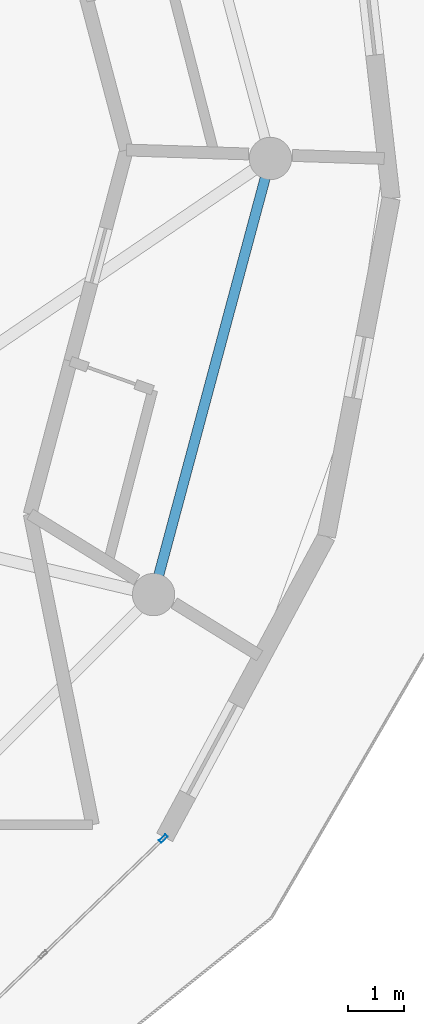
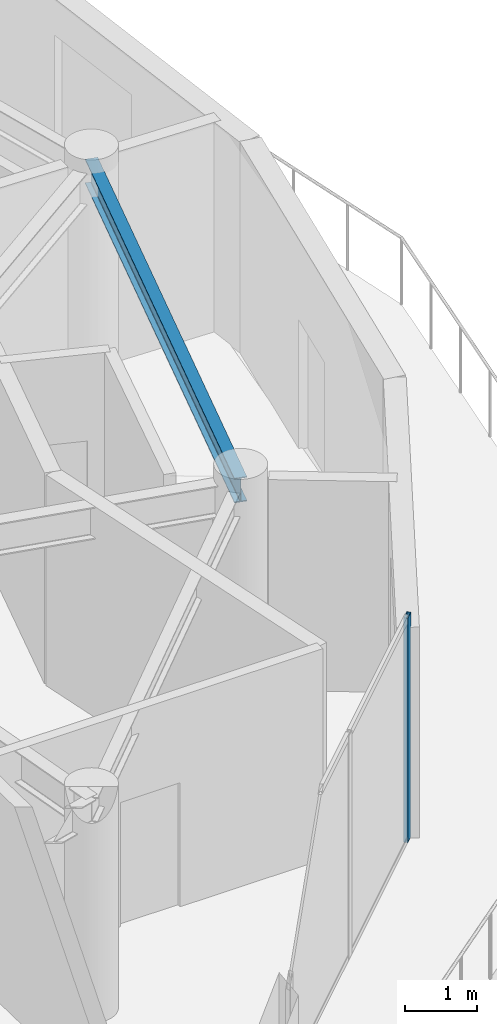
# One storey, part 11 of 23: 1 beam, 1 member, 1 element without a shape of its own.
"""IFC4 building model written with IfcOpenShell, lengths in metres."""

from ifc_helpers import new_model, si_unit, direction, frame, origin, origin_2d, place, context, subcontext, project, spatial, hollow_rectangle, i_section, extrude, source, transform, mapped, material, layer, layer_set, material_profile, profile_set, type_object, element, aggregate, save


model = new_model("IFC4")

# Units and contexts
model_context = context("Model", 3, precision=1e-05, world=origin(), true_north=direction((0.0, 1.0)))
body_context = subcontext(model_context, "Body", "Model", "MODEL_VIEW")
ifc_project = project(units=[si_unit("LENGTHUNIT", "METRE"), si_unit("AREAUNIT", "SQUARE_METRE"), si_unit("VOLUMEUNIT", "CUBIC_METRE"), si_unit("PLANEANGLEUNIT", "RADIAN"), si_unit("MASSUNIT", "GRAM", prefix="KILO")], contexts=[model_context])

# Site, building, storey
site_placement = place(None, origin())
site = spatial("IfcSite", under=ifc_project, at=site_placement, CompositionType="ELEMENT")
building_placement = place(site_placement, origin())
building = spatial("IfcBuilding", under=site, at=building_placement, Name="Solvirekh Grand Hotel", CompositionType="ELEMENT")
storey_placement = place(building_placement, frame((0.0, 0.0, 285.800048828125)))
storey = spatial("IfcBuildingStorey", under=building, at=storey_placement, Name="L74", CompositionType="ELEMENT", Elevation=285.800048828125)

# Beam
ifc_material_1 = material(Name="Steel S355", Category="steel")
ifc_material_profile_1 = material_profile(ifc_material_1, i_section(OverallWidth=0.180908203125, OverallDepth=0.4169921875, WebThickness=0.010009765625, FlangeThickness=0.01611328125, FilletRadius=0.011962890625, at=origin_2d()), Name="W410X85")
ifc_profile_set_1 = profile_set([ifc_material_profile_1], Name="Steel S355")
beam_type = type_object("IfcBeamType", Name="Spandrel_Ring_W410", PredefinedType="SPANDREL", material=ifc_profile_set_1)
beam_placement = place(storey_placement, frame((13.3798828125, -7.72509765625, 3.36083984375), z_axis=(0.258834757072, 0.965921616143, 0.0), x_axis=(-0.965921616143, 0.258834757072, 0.0)))
element("IfcBeam", 1, at=beam_placement, inside=storey, type_object=beam_type, Name="L74 perimeter spandrel beam 12", PredefinedType="SPANDREL", context=body_context, shape_type="SweptSolid", body=[
    extrude(i_section(OverallWidth=0.180908203125, OverallDepth=0.4169921875, WebThickness=0.010009765625, FlangeThickness=0.01611328125, FilletRadius=0.011962890625, at=origin_2d()), origin(), (0.0, 0.0, 1.0), 7.99755859375),
])

# Curtain wall, member
ifc_material_2 = material(Name="Anodized Bronze Aluminium 6063-T6", Category="aluminium")
ifc_layer = layer(ifc_material_2, 0.159912109375)
ifc_layer_set = layer_set([ifc_layer], Name="Anodized Bronze Aluminium 6063-T6")
curtain_wall_type = type_object("IfcCurtainWallType", Name="CW_Sys4_HighZoneFlushBronzeCW", PredefinedType="NOTDEFINED", material=ifc_layer_set)
curtain_wall_placement = place(storey_placement, origin())
curtain_wall = element("IfcCurtainWall", 2, at=curtain_wall_placement, inside=storey, type_object=curtain_wall_type, Name="L74 unitised bronze-glass curtain wall CW-L74-C03", PredefinedType="NOTDEFINED")
ifc_material_profile_2 = material_profile(ifc_material_2, hollow_rectangle(XDim=0.06005859375, YDim=0.159912109375, WallThickness=0.0048828125, at=origin_2d()), Name="ALU RHS 160X60X5")
ifc_profile_set_2 = profile_set([ifc_material_profile_2], Name="Anodized Bronze Aluminium 6063-T6")
member_type = type_object("IfcMemberType", Name="CWMullion_Sys4", PredefinedType="MULLION", material=ifc_profile_set_2)
shared_shape = source(origin(), body_context, "Body", "SweptSolid", [
    extrude(hollow_rectangle(XDim=0.06005859375, YDim=0.159912109375, WallThickness=0.0048828125, at=origin_2d()), origin(), (0.0, 0.0, 1.0), 3.800048828125),
])
member_placement = place(storey_placement, frame((13.554443359375, -12.0458984375, 0.0), z_axis=(0.0, 0.0, 1.0), x_axis=(-0.694293264644, 0.719692199951, 0.0)))
member = element("IfcMember", 3, at=member_placement, type_object=member_type, Name="U04 mullion 3", PredefinedType="MULLION", context=body_context, shape_type="MappedRepresentation", body=[
    mapped(shared_shape, transform((0.0, 0.0, 0.0), x_axis=(1.0, 0.0, 0.0), y_axis=(0.0, 1.0, 0.0), z_axis=(0.0, 0.0, 1.0), scale=1.0)),
])
aggregate(curtain_wall, [member])

save(model, "model.ifc")
